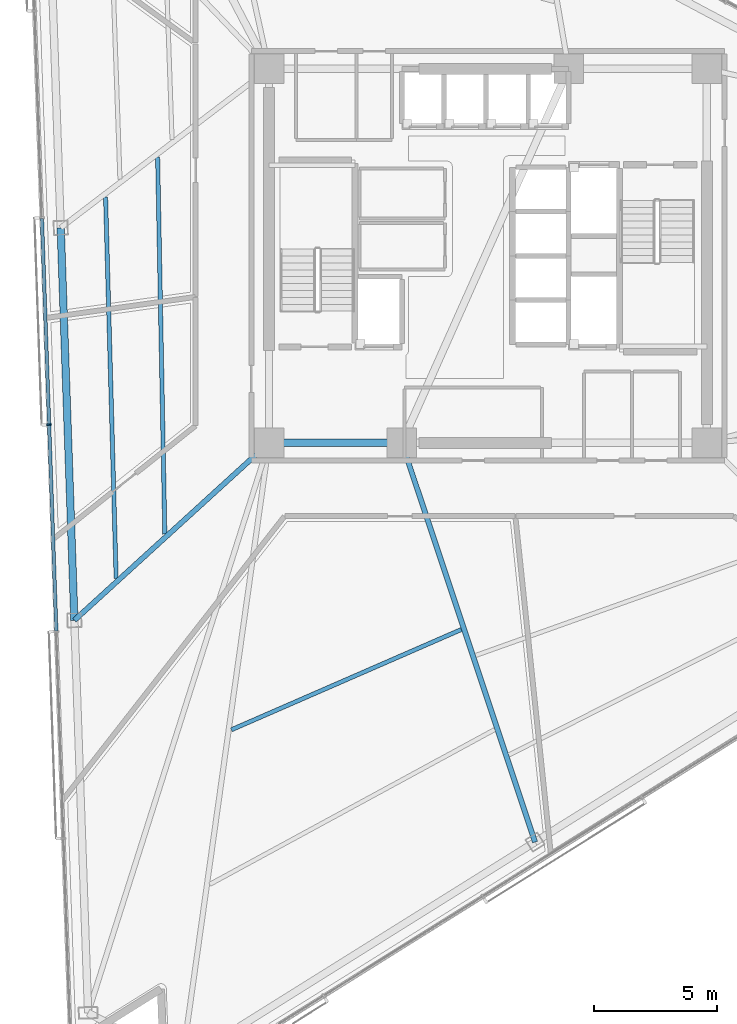
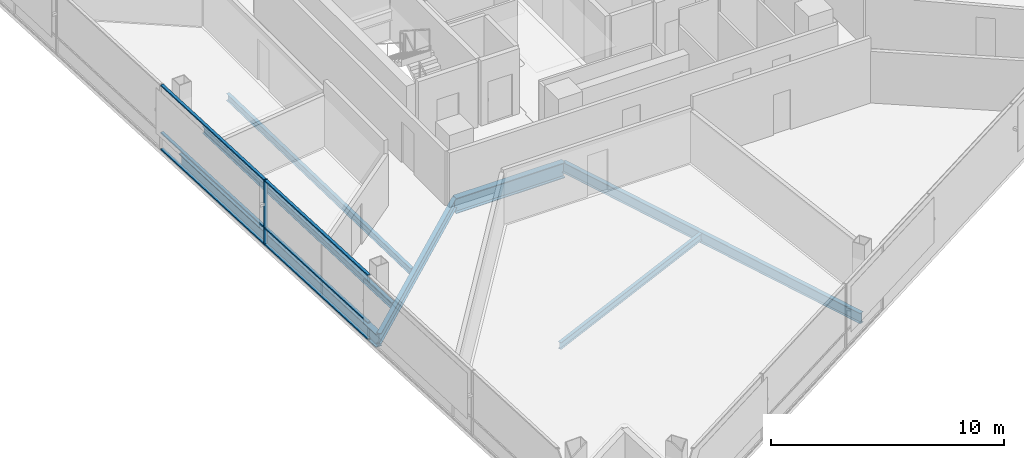
# One storey, part 4 of 20: 7 beams, 7 members, 1 element without a shape of its own.
"""IFC4 building model written with IfcOpenShell, lengths in metres."""

import ifcopenshell
import ifcopenshell.guid

model = None  # the IFC model being written
_history = None  # IfcOwnerHistory: only IFC2X3 demands one
_inside = {}  # id of a spatial element -> (the spatial element, [elements in it])
_under = {}  # id of a project, library or spatial element -> (it, [spatial elements below it])
_declared = {}  # id of a project -> (the project, [libraries it declares])
_typed = {}  # id of a type object -> (the type object, [elements of that type])
_made_of = {}  # id of a material, layer set ... -> (it, [elements and type objects made of it])


def new_model(schema):
    """Start an empty IFC model of exactly this schema.

    Asked for "IFC4X3", IfcOpenShell would pick the latest addendum, in which some entities
    have other attributes; the version numbers below select the first issue.
    IFC2X3 requires an IfcOwnerHistory on every rooted entity: one is made here for all.
    """
    global model, _history
    if schema == "IFC4X3":
        model = ifcopenshell.file(schema_version=(4, 3, 0, 0))
    else:
        model = ifcopenshell.file(schema=schema)
    _inside.clear()
    _under.clear()
    _declared.clear()
    _typed.clear()
    _made_of.clear()
    _history = None
    if model.schema == "IFC2X3":
        org = make("IfcOrganization", Name="unknown")
        user = make(
            "IfcPersonAndOrganization",
            ThePerson=make("IfcPerson", FamilyName="unknown"),
            TheOrganization=org,
        )
        app = make(
            "IfcApplication",
            ApplicationDeveloper=org,
            Version="unknown",
            ApplicationFullName="unknown",
            ApplicationIdentifier="unknown",
        )
        _history = make(
            "IfcOwnerHistory",
            OwningUser=user,
            OwningApplication=app,
            ChangeAction="ADDED",
            CreationDate=0,
        )
    return model


def make(cls, **values):
    """One entity of the class cls with the attributes given. An attribute that is None is left unset."""
    return model.create_entity(
        cls, **{name: value for name, value in values.items() if value is not None}
    )


def rooted(cls, **values):
    """An entity with a GlobalId (a new one), such as an element, a storey or a relation."""
    return make(cls, GlobalId=ifcopenshell.guid.new(), OwnerHistory=_history, **values)


def si_unit(unit_type, name, prefix=None):
    """IfcSIUnit, for example si_unit("LENGTHUNIT", "METRE", prefix="MILLI")."""
    return make("IfcSIUnit", UnitType=unit_type, Prefix=prefix, Name=name)


def assignment(units):
    """IfcUnitAssignment: the units of a project."""
    return None if units is None else make("IfcUnitAssignment", Units=units)


def point(xyz):
    """IfcCartesianPoint."""
    return None if xyz is None else make("IfcCartesianPoint", Coordinates=xyz)


def direction(xyz):
    """IfcDirection."""
    return None if xyz is None else make("IfcDirection", DirectionRatios=xyz)


def frame(location, z_axis=None, x_axis=None):
    """IfcAxis2Placement3D, a coordinate frame: its origin and axes. An axis left out is left unset."""
    return make(
        "IfcAxis2Placement3D",
        Location=point(location),
        Axis=direction(z_axis),
        RefDirection=direction(x_axis),
    )


def frame_2d(location, x_axis=None):
    """IfcAxis2Placement2D, a coordinate frame in the plane: its origin and x axis."""
    return make(
        "IfcAxis2Placement2D", Location=point(location), RefDirection=direction(x_axis)
    )


def origin():
    """The frame at (0, 0, 0) with its axes left unset."""
    return frame((0.0, 0.0, 0.0))


def origin_2d():
    """The frame at (0, 0) in the plane with its x axis left unset."""
    return frame_2d((0.0, 0.0))


def place(relative_to, where):
    """IfcLocalPlacement: puts the frame where relative to a parent placement (None: the world)."""
    return make(
        "IfcLocalPlacement", PlacementRelTo=relative_to, RelativePlacement=where
    )


def context(
    kind, dimensions, precision=None, world=None, true_north=None, identifier=None
):
    """IfcGeometricRepresentationContext, for example the 3D "Model" context."""
    return make(
        "IfcGeometricRepresentationContext",
        ContextIdentifier=identifier,
        ContextType=kind,
        CoordinateSpaceDimension=dimensions,
        Precision=precision,
        WorldCoordinateSystem=world,
        TrueNorth=true_north,
    )


def subcontext(parent, identifier, kind, view, scale=None):
    """IfcGeometricRepresentationSubContext, for example "Body" below "Model"."""
    return make(
        "IfcGeometricRepresentationSubContext",
        ContextIdentifier=identifier,
        ContextType=kind,
        ParentContext=parent,
        TargetScale=scale,
        TargetView=view,
    )


def project(units=None, contexts=None):
    """IfcProject with its units and contexts."""
    return rooted(
        "IfcProject",
        Name="project",
        RepresentationContexts=contexts,
        UnitsInContext=assignment(units),
    )


def spatial(cls, under=None, at=None, **own):
    """A site, building, storey or space (cls), placed at a placement, below another one or the project."""
    s = rooted(cls, ObjectPlacement=at, **own)
    if under is not None:
        _under.setdefault(under.id(), (under, []))[1].append(s)
    return s


def profile(cls, at=None, kind="AREA", **sizes):
    """A parametric profile (cls). Its sizes go by their IFC names, for example OverallWidth=200.0."""
    return make(cls, ProfileType=kind, Position=at, **sizes)


def rectangle(**sizes):
    """IfcRectangleProfileDef."""
    return profile("IfcRectangleProfileDef", **sizes)


def i_section(**sizes):
    """IfcIShapeProfileDef."""
    return profile("IfcIShapeProfileDef", **sizes)


def extrude(swept, where, along, depth):
    """IfcExtrudedAreaSolid: the profile swept, set in the frame where, extruded along a direction by depth."""
    return make(
        "IfcExtrudedAreaSolid",
        SweptArea=swept,
        Position=where,
        ExtrudedDirection=direction(along),
        Depth=depth,
    )


def shape(context_of_items, identifier, shape_type, items):
    """IfcShapeRepresentation: the items that make up one representation, for example the "Body"."""
    return make(
        "IfcShapeRepresentation",
        ContextOfItems=context_of_items,
        RepresentationIdentifier=identifier,
        RepresentationType=shape_type,
        Items=items,
    )


def material(Name=None, Category=None):
    """IfcMaterial."""
    return make("IfcMaterial", Name=Name, Category=Category)


def layer(
    of_material, thickness, ventilated=None, Name=None, Category=None, Priority=None
):
    """IfcMaterialLayer: one layer of a wall or slab, of a material (None: an air gap)."""
    return make(
        "IfcMaterialLayer",
        Material=of_material,
        LayerThickness=thickness,
        IsVentilated=ventilated,
        Name=Name,
        Category=Category,
        Priority=Priority,
    )


def layer_set(layers, Name=None):
    """IfcMaterialLayerSet."""
    return make("IfcMaterialLayerSet", MaterialLayers=layers, LayerSetName=Name)


def material_profile(
    of_material, cross_section, Name=None, Category=None, Priority=None
):
    """IfcMaterialProfile: a cross section and its material."""
    return make(
        "IfcMaterialProfile",
        Name=Name,
        Material=of_material,
        Profile=cross_section,
        Priority=Priority,
        Category=Category,
    )


def profile_set(profiles, Name=None, composite=None):
    """IfcMaterialProfileSet."""
    return make(
        "IfcMaterialProfileSet",
        Name=Name,
        MaterialProfiles=profiles,
        CompositeProfile=composite,
    )


def made_of(thing, what):
    """Note that an element or type object is made of a material, layer set ...; save() writes the relation."""
    if what is not None:
        _made_of.setdefault(what.id(), (what, []))[1].append(thing)
    return thing


def type_object(cls, material=None, **own):
    """A type object (cls), such as IfcWallType, which elements share."""
    return made_of(rooted(cls, **own), material)


def element(
    cls,
    number,
    at=None,
    inside=None,
    cuts=None,
    type_object=None,
    material=None,
    context=None,
    identifier="Body",
    shape_type=None,
    held_by="IfcProductDefinitionShape",
    body=None,
    shapes=None,
    **own,
):
    """One element of the class cls, such as IfcWall. Its Tag is "e" and its number.

    at: its placement. inside: the storey or other place that contains it. cuts: it is an
    opening in that element (IfcRelVoidsElement). A single representation is given by context,
    identifier, shape_type and body (its items); several are given by shapes. held_by: the class
    of the entity that holds the representations. save() writes the other relations.
    """
    e = rooted(cls, Tag="e%d" % number, ObjectPlacement=at, **own)
    if body is not None:
        shapes = [shape(context, identifier, shape_type, body)]
    if shapes is not None:
        e.Representation = make(held_by, Representations=shapes)
    if inside is not None:
        _inside.setdefault(inside.id(), (inside, []))[1].append(e)
    if cuts is not None:
        rooted(
            "IfcRelVoidsElement", RelatingBuildingElement=cuts, RelatedOpeningElement=e
        )
    if type_object is not None:
        _typed.setdefault(type_object.id(), (type_object, []))[1].append(e)
    return made_of(e, material)


def aggregate(whole, parts):
    """IfcRelAggregates: a whole, such as a stair, and the parts it consists of."""
    return rooted("IfcRelAggregates", RelatingObject=whole, RelatedObjects=parts)


def save(model, path):
    """Write the relations noted so far, then the file.

    IfcRelAggregates (storeys below a building ...), IfcRelContainedInSpatialStructure (elements
    in a storey), IfcRelDefinesByType, IfcRelAssociatesMaterial and IfcRelDeclares: one each for
    every whole, place, type object, material and project.
    """
    for whole, parts in _under.values():
        aggregate(whole, parts)
    for where, things in _inside.values():
        rooted(
            "IfcRelContainedInSpatialStructure",
            RelatedElements=things,
            RelatingStructure=where,
        )
    for kind, things in _typed.values():
        rooted("IfcRelDefinesByType", RelatedObjects=things, RelatingType=kind)
    for what, things in _made_of.values():
        rooted("IfcRelAssociatesMaterial", RelatedObjects=things, RelatingMaterial=what)
    for by, libraries in _declared.values():
        rooted("IfcRelDeclares", RelatingContext=by, RelatedDefinitions=libraries)
    model.write(path)


model = new_model("IFC4")

# Units and contexts
model_context = context("Model", 3, precision=1e-05, world=origin(), true_north=direction((0.0, 1.0)))
body_context = subcontext(model_context, "Body", "Model", "MODEL_VIEW")
ifc_project = project(units=[si_unit("LENGTHUNIT", "METRE"), si_unit("AREAUNIT", "SQUARE_METRE"), si_unit("VOLUMEUNIT", "CUBIC_METRE"), si_unit("PLANEANGLEUNIT", "RADIAN"), si_unit("MASSUNIT", "GRAM", prefix="KILO")], contexts=[model_context])

# Site, building, storey
site_placement = place(None, origin())
site = spatial("IfcSite", under=ifc_project, at=site_placement, CompositionType="ELEMENT")
building_placement = place(site_placement, origin())
building = spatial("IfcBuilding", under=site, at=building_placement, Name="Tharavind Bronze Gate", CompositionType="ELEMENT")
storey_placement = place(building_placement, frame((0.0, 0.0, 146.0)))
storey = spatial("IfcBuildingStorey", under=building, at=storey_placement, Name="L37", CompositionType="ELEMENT", Elevation=146.0)

# Curtain wall, members
ifc_material_1 = material(Name="Anodised Bronze Aluminium", Category="aluminium")
ifc_layer = layer(ifc_material_1, 0.219970703125)
ifc_layer_set = layer_set([ifc_layer], Name="Anodised Bronze Aluminium")
curtain_wall_type = type_object("IfcCurtainWallType", Name="UNITISED CURTAIN WALL MID OFFICE", PredefinedType="USERDEFINED", material=ifc_layer_set)
curtain_wall_placement = place(storey_placement, origin())
curtain_wall = element("IfcCurtainWall", 1, at=curtain_wall_placement, inside=storey, type_object=curtain_wall_type, Name="L37 unitised curtain wall mid office CW-L37-S1", ObjectType="UNITISED CURTAIN WALL", PredefinedType="USERDEFINED")
member_type_1 = type_object("IfcMemberType", Name="CURTAIN WALL BRONZE MULLION 65X180", PredefinedType="MULLION", material=ifc_material_1)
member_1_placement = place(storey_placement, frame((-17.8388671875, -6.86376953125, 0.0), z_axis=(0.0, 0.0, 1.0), x_axis=(0.034899496703, -0.999390827019, 0.0)))
member_1 = element("IfcMember", 2, at=member_1_placement, type_object=member_type_1, Name="CW-L37-S1 mullion 4", PredefinedType="MULLION", context=body_context, shape_type="SweptSolid", body=[
    extrude(rectangle(XDim=0.06494140625, YDim=0.179931640625, at=origin_2d()), origin(), (0.0, 0.0, 1.0), 3.409912109375),
])
member_type_2 = type_object("IfcMemberType", Name="CURTAIN WALL BRONZE TRANSOM 65X140", PredefinedType="USERDEFINED", material=ifc_material_1)
member_2_placement = place(storey_placement, frame((-17.985595703125, -2.6591796875, 0.0), z_axis=(0.0, 0.0, 1.0), x_axis=(0.034899496703, -0.999390827019, 0.0)))
member_2 = element("IfcMember", 3, at=member_2_placement, type_object=member_type_2, Name="CW-L37-S1 transom TB3", ObjectType="TRANSOM", PredefinedType="USERDEFINED", context=body_context, shape_type="SweptSolid", body=[
    extrude(rectangle(XDim=8.361572265625, YDim=0.139892578125, at=origin_2d()), origin(), (0.0, 0.0, 1.0), 0.06494140625),
])
member_3_placement = place(storey_placement, frame((-17.985595703125, -2.6591796875, 0.867431640625), z_axis=(0.0, 0.0, 1.0), x_axis=(0.034899496703, -0.999390827019, 0.0)))
member_3 = element("IfcMember", 4, at=member_3_placement, type_object=member_type_2, Name="CW-L37-S1 transom TS3", ObjectType="TRANSOM", PredefinedType="USERDEFINED", context=body_context, shape_type="SweptSolid", body=[
    extrude(rectangle(XDim=8.361572265625, YDim=0.139892578125, at=origin_2d()), origin(), (0.0, 0.0, 1.0), 0.06494140625),
])
member_4_placement = place(storey_placement, frame((-17.985595703125, -2.6591796875, 3.344970703125), z_axis=(0.0, 0.0, 1.0), x_axis=(0.034899496703, -0.999390827019, 0.0)))
member_4 = element("IfcMember", 5, at=member_4_placement, type_object=member_type_2, Name="CW-L37-S1 transom TT3", ObjectType="TRANSOM", PredefinedType="USERDEFINED", context=body_context, shape_type="SweptSolid", body=[
    extrude(rectangle(XDim=8.361572265625, YDim=0.139892578125, at=origin_2d()), origin(), (0.0, 0.0, 1.0), 0.06494140625),
])
member_5_placement = place(storey_placement, frame((-17.69189453125, -11.068603515625, 0.0), z_axis=(0.0, 0.0, 1.0), x_axis=(0.034899496703, -0.999390827019, 0.0)))
member_5 = element("IfcMember", 6, at=member_5_placement, type_object=member_type_2, Name="CW-L37-S1 transom TB4", ObjectType="TRANSOM", PredefinedType="USERDEFINED", context=body_context, shape_type="SweptSolid", body=[
    extrude(rectangle(XDim=8.361572265625, YDim=0.139892578125, at=origin_2d()), origin(), (0.0, 0.0, 1.0), 0.06494140625),
])
member_6_placement = place(storey_placement, frame((-17.69189453125, -11.068603515625, 0.867431640625), z_axis=(0.0, 0.0, 1.0), x_axis=(0.034899496703, -0.999390827019, 0.0)))
member_6 = element("IfcMember", 7, at=member_6_placement, type_object=member_type_2, Name="CW-L37-S1 transom TS4", ObjectType="TRANSOM", PredefinedType="USERDEFINED", context=body_context, shape_type="SweptSolid", body=[
    extrude(rectangle(XDim=8.361572265625, YDim=0.139892578125, at=origin_2d()), origin(), (0.0, 0.0, 1.0), 0.06494140625),
])
member_7_placement = place(storey_placement, frame((-17.69189453125, -11.068603515625, 3.344970703125), z_axis=(0.0, 0.0, 1.0), x_axis=(0.034899496703, -0.999390827019, 0.0)))
member_7 = element("IfcMember", 8, at=member_7_placement, type_object=member_type_2, Name="CW-L37-S1 transom TT4", ObjectType="TRANSOM", PredefinedType="USERDEFINED", context=body_context, shape_type="SweptSolid", body=[
    extrude(rectangle(XDim=8.361572265625, YDim=0.139892578125, at=origin_2d()), origin(), (0.0, 0.0, 1.0), 0.06494140625),
])
aggregate(curtain_wall, [member_1, member_2, member_3, member_4, member_5, member_6, member_7])

# Beams
ifc_material_2 = material(Name="Steel S355", Category="steel")
ifc_material_profile_1 = material_profile(ifc_material_2, i_section(OverallWidth=0.2099609375, OverallDepth=0.550048828125, WebThickness=0.010986328125, FlangeThickness=0.01708984375, at=origin_2d()), Name="IPE550")
ifc_profile_set_1 = profile_set([ifc_material_profile_1], Name="Steel S355")
beam_type_1 = type_object("IfcBeamType", Name="PRIMARY GIRDER IPE550", PredefinedType="USERDEFINED", material=ifc_profile_set_1)
beam_1_placement = place(storey_placement, frame((-16.810791015625, -14.814208984375, -0.465087890625), z_axis=(0.738898073341, 0.673817213503, 0.0), x_axis=(-0.673817213503, 0.738898073341, 0.0)))
element("IfcBeam", 9, at=beam_1_placement, inside=storey, type_object=beam_type_1, Name="L37 primary girder ipe550 BM-L37-RAD03", ObjectType="GIRDER", PredefinedType="USERDEFINED", context=body_context, shape_type="SweptSolid", body=[
    extrude(i_section(OverallWidth=0.2099609375, OverallDepth=0.550048828125, WebThickness=0.010986328125, FlangeThickness=0.01708984375, at=origin_2d()), origin(), (0.0, 0.0, 1.0), 10.706298828125),
])
beam_2_placement = place(storey_placement, frame((1.912353515625, -23.827880859375, -0.465087890625), z_axis=(-0.316390459334, 0.948629051444, 0.0), x_axis=(-0.948629051444, -0.316390459334, 0.0)))
element("IfcBeam", 10, at=beam_2_placement, inside=storey, type_object=beam_type_1, Name="L37 primary girder ipe550 BM-L37-RAD06", ObjectType="GIRDER", PredefinedType="USERDEFINED", context=body_context, shape_type="SweptSolid", body=[
    extrude(i_section(OverallWidth=0.2099609375, OverallDepth=0.550048828125, WebThickness=0.010986328125, FlangeThickness=0.01708984375, at=origin_2d()), origin(), (0.0, 0.0, 1.0), 17.1064453125),
])
ifc_material_profile_2 = material_profile(ifc_material_2, i_section(OverallWidth=0.300048828125, OverallDepth=0.699951171875, WebThickness=0.01708984375, FlangeThickness=0.031982421875, at=origin_2d()), Name="HE700B")
ifc_profile_set_2 = profile_set([ifc_material_profile_2], Name="Steel S355")
beam_type_2 = type_object("IfcBeamType", Name="RING GIRDER HE700B", PredefinedType="USERDEFINED", material=ifc_profile_set_2)
beam_3_placement = place(storey_placement, frame((-17.367919921875, 1.138916015625, -0.5400390625), z_axis=(0.03490159311, -0.999390753809, 0.0), x_axis=(0.999390753809, 0.03490159311, 0.0)))
element("IfcBeam", 11, at=beam_3_placement, inside=storey, type_object=beam_type_2, Name="L37 ring girder he700b BM-L37-PRG02", ObjectType="GIRDER", PredefinedType="USERDEFINED", context=body_context, shape_type="SweptSolid", body=[
    extrude(i_section(OverallWidth=0.300048828125, OverallDepth=0.699951171875, WebThickness=0.01708984375, FlangeThickness=0.031982421875, at=origin_2d()), origin(), (0.0, 0.0, 1.0), 15.962890625),
])
ifc_material_profile_3 = material_profile(ifc_material_2, i_section(OverallWidth=0.300048828125, OverallDepth=0.800048828125, WebThickness=0.017578125, FlangeThickness=0.032958984375, at=origin_2d()), Name="HE800B")
ifc_profile_set_3 = profile_set([ifc_material_profile_3], Name="Steel S355")
beam_type_3 = type_object("IfcBeamType", Name="RING GIRDER HE800B", PredefinedType="USERDEFINED", material=ifc_profile_set_3)
beam_4_placement = place(storey_placement, frame((-8.89990234375, -7.60009765625, -0.590087890625), z_axis=(1.0, 0.0, 0.0), x_axis=(0.0, 1.0, 0.0)))
element("IfcBeam", 12, at=beam_4_placement, inside=storey, type_object=beam_type_3, Name="L37 ring girder he800b BM-L37-CR1", ObjectType="GIRDER", PredefinedType="USERDEFINED", context=body_context, shape_type="SweptSolid", body=[
    extrude(i_section(OverallWidth=0.300048828125, OverallDepth=0.800048828125, WebThickness=0.017578125, FlangeThickness=0.032958984375, at=origin_2d()), origin(), (0.0, 0.0, 1.0), 5.39990234375),
])
ifc_material_profile_4 = material_profile(ifc_material_2, i_section(OverallWidth=0.169921875, OverallDepth=0.360107421875, WebThickness=0.008056640625, FlangeThickness=0.0126953125, at=origin_2d()), Name="IPE360")
ifc_profile_set_4 = profile_set([ifc_material_profile_4], Name="Steel S355")
beam_type_4 = type_object("IfcBeamType", Name="SECONDARY FLOOR JOIST IPE360", PredefinedType="JOIST", material=ifc_profile_set_4)
beam_5_placement = place(storey_placement, frame((-13.427734375, 4.00927734375, -0.3701171875), z_axis=(0.019097389541, -0.999817628227, 0.0), x_axis=(0.999817628227, 0.019097389541, 0.0)))
element("IfcBeam", 13, at=beam_5_placement, inside=storey, type_object=beam_type_4, Name="L37 secondary floor joist ipe360 BM-L37-JSTA02", PredefinedType="JOIST", context=body_context, shape_type="SweptSolid", body=[
    extrude(i_section(OverallWidth=0.169921875, OverallDepth=0.360107421875, WebThickness=0.008056640625, FlangeThickness=0.0126953125, at=origin_2d()), origin(), (0.0, 0.0, 1.0), 15.327880859375),
])
beam_6_placement = place(storey_placement, frame((-15.54345703125, 2.394775390625, -0.3701171875), z_axis=(0.027683678479, -0.999616733526, 0.0), x_axis=(0.999616733526, 0.027683678479, 0.0)))
element("IfcBeam", 14, at=beam_6_placement, inside=storey, type_object=beam_type_4, Name="L37 secondary floor joist ipe360 BM-L37-JSTB02", PredefinedType="JOIST", context=body_context, shape_type="SweptSolid", body=[
    extrude(i_section(OverallWidth=0.169921875, OverallDepth=0.360107421875, WebThickness=0.008056640625, FlangeThickness=0.0126953125, at=origin_2d()), origin(), (0.0, 0.0, 1.0), 15.521240234375),
])
beam_7_placement = place(storey_placement, frame((-10.42919921875, -19.26513671875, -0.3701171875), z_axis=(0.916635905252, 0.399723175715, 0.0), x_axis=(-0.399723175715, 0.916635905252, 0.0)))
element("IfcBeam", 15, at=beam_7_placement, inside=storey, type_object=beam_type_4, Name="L37 secondary floor joist ipe360 BM-L37-JSTA05", PredefinedType="JOIST", context=body_context, shape_type="SweptSolid", body=[
    extrude(i_section(OverallWidth=0.169921875, OverallDepth=0.360107421875, WebThickness=0.008056640625, FlangeThickness=0.0126953125, at=origin_2d()), origin(), (0.0, 0.0, 1.0), 10.195556640625),
])

save(model, "model.ifc")
